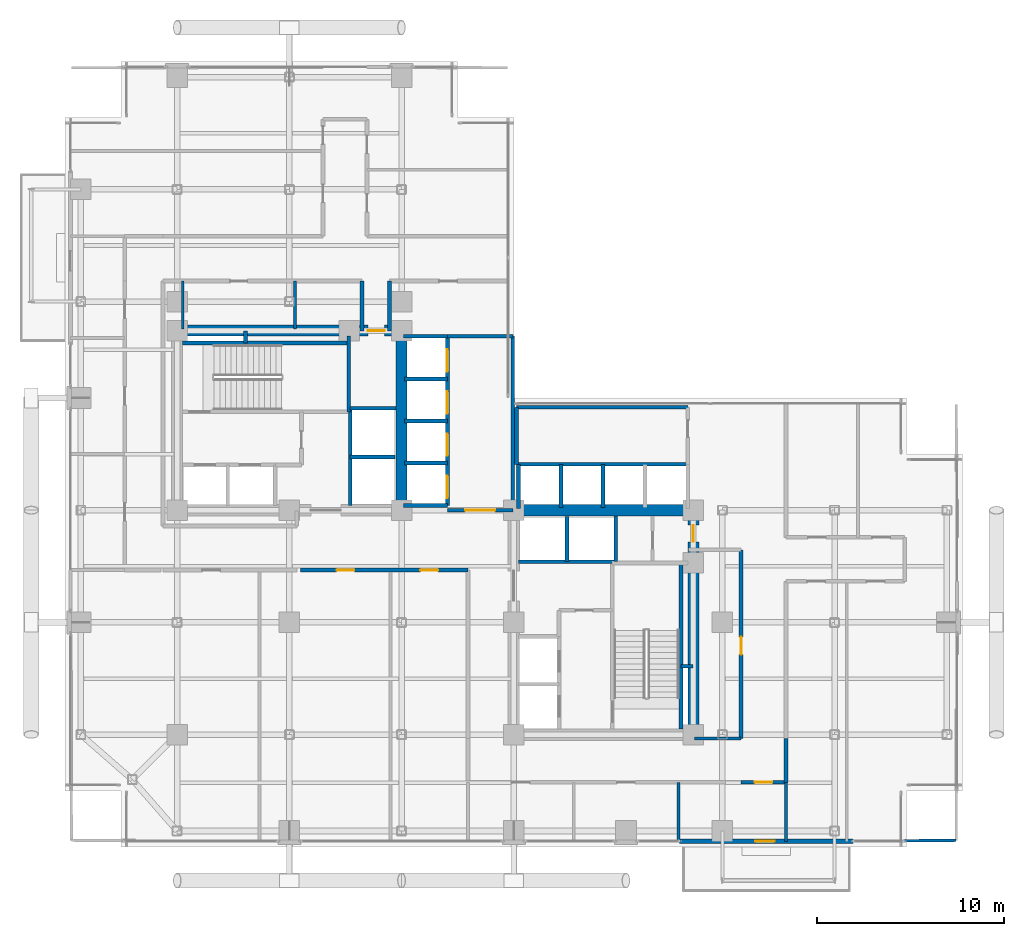
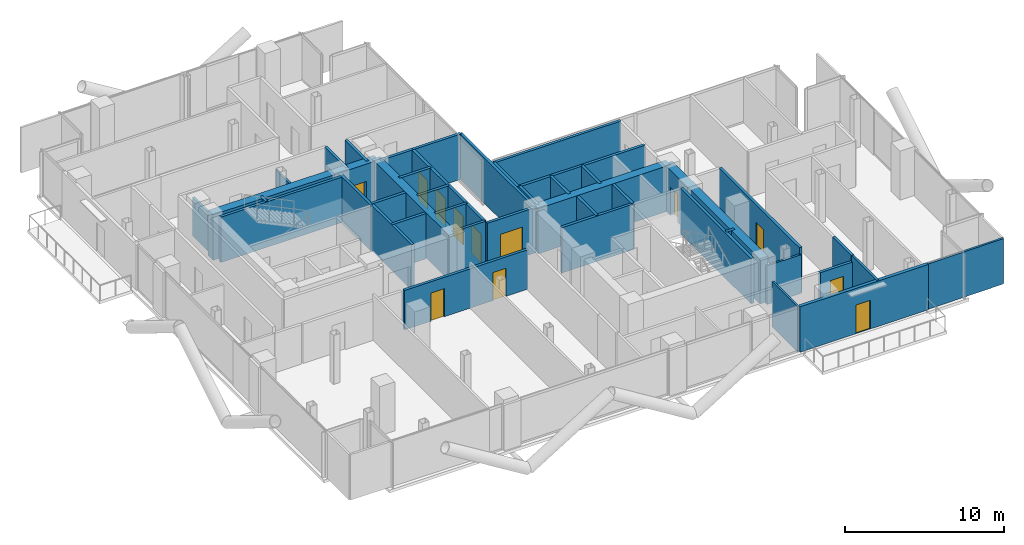
# One storey, part 23 of 28: 43 walls, 12 doors, 12 openings.
"""IFC4 building model written with IfcOpenShell, lengths in metres."""

from ifc_helpers import new_model, si_unit, direction, frame, frame_2d, origin, place, context, subcontext, project, spatial, rectangle, extrude, material, layer, layer_set, type_object, element, fill, save


model = new_model("IFC4")

# Units and contexts
model_context = context("Model", 3, precision=1e-05, world=origin(), true_north=direction((0.0, 1.0)))
body_context = subcontext(model_context, "Body", "Model", "MODEL_VIEW")
ifc_project = project(units=[si_unit("LENGTHUNIT", "METRE"), si_unit("AREAUNIT", "SQUARE_METRE"), si_unit("VOLUMEUNIT", "CUBIC_METRE"), si_unit("PLANEANGLEUNIT", "RADIAN"), si_unit("MASSUNIT", "GRAM", prefix="KILO"), si_unit("THERMODYNAMICTEMPERATUREUNIT", "KELVIN"), si_unit("POWERUNIT", "WATT")], contexts=[model_context])

# Site, building, storey
site_placement = place(None, origin())
site = spatial("IfcSite", under=ifc_project, at=site_placement, CompositionType="ELEMENT")
building_placement = place(site_placement, origin())
building = spatial("IfcBuilding", under=site, at=building_placement, Name="Svarakhadi Broadcast Tower", CompositionType="ELEMENT")
storey_placement = place(building_placement, frame((0.0, 0.0, 107.10009765625)))
storey = spatial("IfcBuildingStorey", under=building, at=storey_placement, Name="L25", CompositionType="ELEMENT", Elevation=107.10009765625)

# Wall, opening, door
ifc_material_1 = material(Name="Double-Stud Acoustic Studio Partition STC-62", Category="gypsum")
ifc_layer_1 = layer(ifc_material_1, 0.199951171875)
ifc_layer_set_1 = layer_set([ifc_layer_1], Name="Double-Stud Acoustic Studio Partition STC-62")
wall_type_1 = type_object("IfcWallType", Name="Wall_Acoust_200", PredefinedType="PARTITIONING", material=ifc_layer_set_1)
wall_1_placement = place(storey_placement, frame((36.14990234375, 5.800048828125, 0.0), z_axis=(0.0, 0.0, 1.0), x_axis=(0.0, 1.0, 0.0)))
wall_1 = element("IfcWall", 1, at=wall_1_placement, inside=storey, type_object=wall_type_1, Name="L25 Broadcast Corridor Wall", PredefinedType="PARTITIONING", context=body_context, shape_type="SweptSolid", body=[
    extrude(rectangle(XDim=10.079833984375, YDim=0.199951171875, at=frame_2d((5.0400390625, 0.0))), origin(), (0.0, 0.0, 1.0), 3.474853515625),
])
opening_1_placement = place(wall_1_placement, frame((4.47998046875, 0.0, 0.0)))
opening_1 = element("IfcOpeningElement", 2, at=opening_1_placement, cuts=wall_1, Name="Opening D-06", PredefinedType="OPENING", context=body_context, shape_type="SweptSolid", body=[
    extrude(rectangle(XDim=0.949951171875, YDim=2.14990234375, at=frame_2d((0.47509765625, 1.074951171875))), frame((0.0, 0.10986328125, 0.0), z_axis=(0.0, -1.0, 0.0), x_axis=(1.0, 0.0, 0.0)), (0.0, 0.0, 1.0), 0.219970703125),
])
ifc_material_2 = material(Name="Solid-Core Teak Veneer Acoustic Timber Leaf", Category="wood")
door_type_1 = type_object("IfcDoorType", Name="Door_Office_D06", OperationType="SINGLE_SWING_LEFT", PredefinedType="DOOR", material=ifc_material_2)
door_1_placement = place(opening_1_placement, origin())
door_1 = element("IfcDoor", 3, at=door_1_placement, inside=storey, type_object=door_type_1, Name="L25 Live Feed Monitoring Studio Door", OperationType="SINGLE_SWING_LEFT", OverallHeight=2.14990234375, OverallWidth=0.949951171875, PredefinedType="DOOR", context=body_context, shape_type="SweptSolid", body=[
    extrude(rectangle(XDim=0.949951171875, YDim=2.14990234375, at=frame_2d((0.47509765625, 1.074951171875))), frame((0.0, 0.02490234375, 0.0), z_axis=(0.0, -1.0, 0.0), x_axis=(1.0, 0.0, 0.0)), (0.0, 0.0, 1.0), 0.050048828125),
])
fill(opening_1, door_1)

# Wall
wall_2_placement = place(storey_placement, frame((38.550048828125, 5.800048828125, 0.0), z_axis=(0.0, 0.0, 1.0), x_axis=(0.0, -1.0, 0.0)))
element("IfcWall", 4, at=wall_2_placement, inside=storey, type_object=wall_type_1, Name="L25 Broadcast Corridor Wall", PredefinedType="PARTITIONING", context=body_context, shape_type="SweptSolid", body=[
    extrude(rectangle(XDim=2.35009765625, YDim=0.199951171875, at=frame_2d((1.175048828125, 0.0))), origin(), (0.0, 0.0, 1.0), 3.474853515625),
])

# Wall, opening, door
wall_3_placement = place(storey_placement, frame((38.550048828125, 3.449951171875, 0.0), z_axis=(0.0, 0.0, 1.0), x_axis=(-1.0, 0.0, 0.0)))
wall_3 = element("IfcWall", 5, at=wall_3_placement, inside=storey, type_object=wall_type_1, Name="L25 Broadcast Corridor Wall", PredefinedType="PARTITIONING", context=body_context, shape_type="SweptSolid", body=[
    extrude(rectangle(XDim=2.400146484375, YDim=0.199951171875, at=frame_2d((1.2001953125, 0.0))), origin(), (0.0, 0.0, 1.0), 3.016845703125),
])
opening_2_placement = place(wall_3_placement, frame((0.72509765625, 0.0, 0.0)))
opening_2 = element("IfcOpeningElement", 6, at=opening_2_placement, cuts=wall_3, Name="Opening D-06", PredefinedType="OPENING", context=body_context, shape_type="SweptSolid", body=[
    extrude(rectangle(XDim=0.949951171875, YDim=2.14990234375, at=frame_2d((0.47509765625, 1.074951171875))), frame((0.0, 0.10986328125, 0.0), z_axis=(0.0, -1.0, 0.0), x_axis=(1.0, 0.0, 0.0)), (0.0, 0.0, 1.0), 0.219970703125),
])
door_2_placement = place(opening_2_placement, origin())
door_2 = element("IfcDoor", 7, at=door_2_placement, inside=storey, type_object=door_type_1, Name="L25 Broadcast Staff Refreshment Pantry Door", OperationType="SINGLE_SWING_LEFT", OverallHeight=2.14990234375, OverallWidth=0.949951171875, PredefinedType="DOOR", context=body_context, shape_type="SweptSolid", body=[
    extrude(rectangle(XDim=0.949951171875, YDim=2.14990234375, at=frame_2d((0.47509765625, 1.074951171875))), frame((0.0, 0.02490234375, 0.0), z_axis=(0.0, -1.0, 0.0), x_axis=(1.0, 0.0, 0.0)), (0.0, 0.0, 1.0), 0.050048828125),
])
fill(opening_2, door_2)

# Wall, openings, doors
wall_4_placement = place(storey_placement, frame((21.550048828125, 14.800048828125, 0.0), z_axis=(0.0, 0.0, 1.0), x_axis=(-1.0, 0.0, 0.0)))
wall_4 = element("IfcWall", 8, at=wall_4_placement, inside=storey, type_object=wall_type_1, Name="L25 Broadcast Corridor Wall", PredefinedType="PARTITIONING", context=body_context, shape_type="SweptSolid", body=[
    extrude(rectangle(XDim=8.949951171875, YDim=0.199951171875, at=frame_2d((4.47509765625, 0.0))), origin(), (0.0, 0.0, 1.0), 3.016845703125),
])
opening_3_placement = place(wall_4_placement, frame((6.074951171875, 0.0, 0.0)))
opening_3 = element("IfcOpeningElement", 9, at=opening_3_placement, cuts=wall_4, Name="Opening D-07", PredefinedType="OPENING", context=body_context, shape_type="SweptSolid", body=[
    extrude(rectangle(XDim=0.949951171875, YDim=2.14990234375, at=frame_2d((0.47509765625, 1.074951171875))), frame((0.0, 0.10986328125, 0.0), z_axis=(0.0, -1.0, 0.0), x_axis=(1.0, 0.0, 0.0)), (0.0, 0.0, 1.0), 0.219970703125),
])
opening_4_placement = place(wall_4_placement, frame((1.60009765625, 0.0, 0.0)))
opening_4 = element("IfcOpeningElement", 10, at=opening_4_placement, cuts=wall_4, Name="Opening D-06", PredefinedType="OPENING", context=body_context, shape_type="SweptSolid", body=[
    extrude(rectangle(XDim=0.949951171875, YDim=2.14990234375, at=frame_2d((0.47509765625, 1.074951171875))), frame((0.0, 0.10986328125, 0.0), z_axis=(0.0, -1.0, 0.0), x_axis=(1.0, 0.0, 0.0)), (0.0, 0.0, 1.0), 0.219970703125),
])
door_3_placement = place(opening_4_placement, origin())
door_3 = element("IfcDoor", 11, at=door_3_placement, inside=storey, type_object=door_type_1, Name="L25 Highlight Archive Store Door", OperationType="SINGLE_SWING_LEFT", OverallHeight=2.14990234375, OverallWidth=0.949951171875, PredefinedType="DOOR", context=body_context, shape_type="SweptSolid", body=[
    extrude(rectangle(XDim=0.949951171875, YDim=2.14990234375, at=frame_2d((0.47509765625, 1.074951171875))), frame((0.0, 0.02490234375, 0.0), z_axis=(0.0, -1.0, 0.0), x_axis=(1.0, 0.0, 0.0)), (0.0, 0.0, 1.0), 0.050048828125),
])
fill(opening_4, door_3)
door_type_2 = type_object("IfcDoorType", Name="Door_Office_D07", OperationType="SINGLE_SWING_RIGHT", PredefinedType="DOOR", material=ifc_material_2)
door_4_placement = place(opening_3_placement, origin())
door_4 = element("IfcDoor", 12, at=door_4_placement, inside=storey, type_object=door_type_2, Name="L25 Multi-Feed Replay Screening Room Door", OperationType="SINGLE_SWING_RIGHT", OverallHeight=2.14990234375, OverallWidth=0.949951171875, PredefinedType="DOOR", context=body_context, shape_type="SweptSolid", body=[
    extrude(rectangle(XDim=0.949951171875, YDim=2.14990234375, at=frame_2d((0.47509765625, 1.074951171875))), frame((0.0, 0.02490234375, 0.0), z_axis=(0.0, -1.0, 0.0), x_axis=(1.0, 0.0, 0.0)), (0.0, 0.0, 1.0), 0.050048828125),
])
fill(opening_3, door_4)

# Walls
for number, where, z_axis, x_axis, name in (
    (13, (17.35009765625, 30.25, 0.0), (0.0, 0.0, 1.0), (0.0, -1.0, 0.0), "L25 Broadcast Corridor Wall"),
    (14, (15.8798828125, 27.580078125, 0.0), (0.0, 0.0, 1.0), (0.0, 1.0, 0.0), "L25 Broadcast Corridor Wall"),
):
    element("IfcWall", number, at=place(storey_placement, frame(where, z_axis=z_axis, x_axis=x_axis)), inside=storey, type_object=wall_type_1, Name=name, PredefinedType="PARTITIONING", context=body_context, shape_type="SweptSolid", body=[
        extrude(rectangle(XDim=2.669921875, YDim=0.199951171875, at=frame_2d((1.3349609375, 0.0))), origin(), (0.0, 0.0, 1.0), 3.474853515625),
    ])

# Wall, opening, door
ifc_material_3 = material(Name="Concrete C40/50 (IS 456 M50)", Category="concrete")
ifc_layer_2 = layer(ifc_material_3, 0.239990234375)
ifc_layer_set_2 = layer_set([ifc_layer_2], Name="Concrete C40/50 (IS 456 M50)")
wall_type_2 = type_object("IfcWallType", Name="Wall_Ext_240", PredefinedType="SOLIDWALL", material=ifc_layer_set_2)
wall_5_placement = place(storey_placement, frame((42.14501953125, 0.300048828125, 0.0), z_axis=(0.0, 0.0, 1.0), x_axis=(-1.0, 0.0, 0.0)))
wall_5 = element("IfcWall", 15, at=wall_5_placement, inside=storey, type_object=wall_type_2, Name="L25 South Tree Balcony Spandrel Wall", PredefinedType="SOLIDWALL", context=body_context, shape_type="SweptSolid", body=[
    extrude(rectangle(XDim=9.2900390625, YDim=0.239990234375, at=frame_2d((4.64501953125, 0.0))), origin(), (0.0, 0.0, 1.0), 3.474853515625),
])
opening_5_placement = place(wall_5_placement, frame((4.199951171875, 0.0, 0.0)))
opening_5 = element("IfcOpeningElement", 16, at=opening_5_placement, cuts=wall_5, Name="Opening ED-05", PredefinedType="OPENING", context=body_context, shape_type="SweptSolid", body=[
    extrude(rectangle(XDim=1.050048828125, YDim=2.199951171875, at=frame_2d((0.52490234375, 1.10009765625))), frame((0.0, 0.1298828125, 0.0), z_axis=(0.0, -1.0, 0.0), x_axis=(1.0, 0.0, 0.0)), (0.0, 0.0, 1.0), 0.260009765625),
])
ifc_material_4 = material(Name="Anodised Bronze Aluminium AA 6063-T6", Category="aluminium")
door_type_3 = type_object("IfcDoorType", Name="Door_Ext_ED05", OperationType="SINGLE_SWING_LEFT", PredefinedType="DOOR", material=ifc_material_4)
door_5_placement = place(opening_5_placement, origin())
door_5 = element("IfcDoor", 17, at=door_5_placement, inside=storey, type_object=door_type_3, Name="L25 South Tree Balcony Door", OperationType="SINGLE_SWING_LEFT", OverallHeight=2.199951171875, OverallWidth=1.050048828125, PredefinedType="DOOR", context=body_context, shape_type="SweptSolid", body=[
    extrude(rectangle(XDim=1.050048828125, YDim=2.199951171875, at=frame_2d((0.52490234375, 1.10009765625))), frame((0.0, 0.02490234375, 0.0), z_axis=(0.0, -1.0, 0.0), x_axis=(1.0, 0.0, 0.0)), (0.0, 0.0, 1.0), 0.050048828125),
])
fill(opening_5, door_5)

# Walls
ifc_layer_3 = layer(ifc_material_3, 0.199951171875)
ifc_layer_set_3 = layer_set([ifc_layer_3], Name="Concrete C40/50 (IS 456 M50)")
wall_type_3 = type_object("IfcWallType", Name="Wall_Fire_200", PredefinedType="SOLIDWALL", material=ifc_layer_set_3)
for number, where, z_axis, x_axis, name in (
    (18, (9.659912109375, 26.93994140625, 0.0), (0.0, 0.0, 1.0), (0.0, 1.0, 0.0), "L25 Wet Riser Shaft East Wall"),
    (19, (32.93994140625, 9.659912109375, 0.0), (0.0, 0.0, 1.0), (1.0, 0.0, 0.0), "L25 HV Busduct Riser Shaft North Wall"),
):
    element("IfcWall", number, at=place(storey_placement, frame(where, z_axis=z_axis, x_axis=x_axis)), inside=storey, type_object=wall_type_3, Name=name, PredefinedType="SOLIDWALL", context=body_context, shape_type="SweptSolid", body=[
        extrude(rectangle(XDim=0.64013671875, YDim=0.199951171875, at=frame_2d((0.320068359375, 0.0))), origin(), (0.0, 0.0, 1.0), 3.474853515625),
    ])
ifc_material_5 = material(Name="Autoclaved Aerated Concrete Blockwork 150 mm", Category="masonry")
ifc_layer_4 = layer(ifc_material_5, 0.14990234375)
ifc_layer_set_4 = layer_set([ifc_layer_4], Name="Autoclaved Aerated Concrete Blockwork 150 mm")
wall_type_4 = type_object("IfcWallType", Name="Wall_Part_150", PredefinedType="PARTITIONING", material=ifc_layer_set_4)
for number, where, z_axis, x_axis, name in (
    (20, (6.300048828125, 27.679931640625, 0.0), (0.0, 0.0, 1.0), (0.0, 1.0, 0.0), "L25 Accessible Toilet WC Wall"),
    (21, (12.300048828125, 27.679931640625, 0.0), (0.0, 0.0, 1.0), (0.0, 1.0, 0.0), "L25 Accessible Toilet WC Wall"),
):
    element("IfcWall", number, at=place(storey_placement, frame(where, z_axis=z_axis, x_axis=x_axis)), inside=storey, type_object=wall_type_4, Name=name, PredefinedType="PARTITIONING", context=body_context, shape_type="SweptSolid", body=[
        extrude(rectangle(XDim=2.570068359375, YDim=0.14990234375, at=frame_2d((1.28515625, 0.0))), origin(), (0.0, 0.0, 1.0), 2.966796875),
    ])
wall_6_placement = place(storey_placement, frame((42.14501953125, 0.302978515625, 0.0), z_axis=(0.0, 0.0, 1.0), x_axis=(0.999963369343, 0.008559203933, 0.0)))
element("IfcWall", 22, at=wall_6_placement, inside=storey, type_object=wall_type_4, Name="L25 Match-Day Crew Dining Room Wall", PredefinedType="PARTITIONING", context=body_context, shape_type="SweptSolid", body=[
    extrude(rectangle(XDim=5.505126953125, YDim=0.14990234375, at=frame_2d((2.75244140625, 0.0))), origin(), (0.0, 0.0, 1.0), 3.474853515625),
])
for number, where, z_axis, x_axis, name in (
    (23, (32.800048828125, 0.300048828125, 0.0), (0.0, 0.0, 1.0), (0.0, 1.0, 0.0), "L25 Media Legal Review Office Wall"),
    (24, (38.550048828125, 0.300048828125, 0.0), (0.0, 0.0, 1.0), (0.0, 1.0, 0.0), "L25 Broadcast Staff Refreshment Pantry Wall"),
):
    element("IfcWall", number, at=place(storey_placement, frame(where, z_axis=z_axis, x_axis=x_axis)), inside=storey, type_object=wall_type_4, Name=name, PredefinedType="PARTITIONING", context=body_context, shape_type="SweptSolid", body=[
        extrude(rectangle(XDim=3.14990234375, YDim=0.14990234375, at=frame_2d((1.574951171875, 0.0))), origin(), (0.0, 0.0, 1.0), 3.474853515625),
    ])
wall_7_placement = place(storey_placement, frame((33.64990234375, 5.800048828125, 0.0), z_axis=(0.0, 0.0, 1.0), x_axis=(1.0, 0.0, 0.0)))
element("IfcWall", 25, at=wall_7_placement, inside=storey, type_object=wall_type_4, Name="L25 Live Feed Monitoring Studio Wall", PredefinedType="PARTITIONING", context=body_context, shape_type="SweptSolid", body=[
    extrude(rectangle(XDim=2.5, YDim=0.14990234375, at=frame_2d((1.25, 0.0))), origin(), (0.0, 0.0, 1.0), 2.966796875),
])
ifc_material_6 = material(Name="Concrete C50/60 (IS 456 M60)", Category="concrete")
ifc_layer_5 = layer(ifc_material_6, 0.199951171875)
ifc_layer_set_5 = layer_set([ifc_layer_5], Name="Concrete C50/60 (IS 456 M60)")
wall_type_5 = type_object("IfcWallType", Name="Wall_Shear_200", PredefinedType="SHEAR", material=ifc_layer_set_5)
wall_8_placement = place(storey_placement, frame((6.300048828125, 26.93994140625, 0.0), z_axis=(0.0, 0.0, 1.0), x_axis=(1.0, 0.0, 0.0)))
element("IfcWall", 26, at=wall_8_placement, inside=storey, type_object=wall_type_5, Name="L25 Stair ST-01 North RC Shaft Wall", PredefinedType="SHEAR", context=body_context, shape_type="SweptSolid", body=[
    extrude(rectangle(XDim=8.8798828125, YDim=0.199951171875, at=frame_2d((4.43994140625, 0.0))), origin(), (0.0, 0.0, 1.0), 3.474853515625),
])
wall_9_placement = place(storey_placement, frame((15.179931640625, 23.260009765625, 0.0), z_axis=(0.0, 0.0, 1.0), x_axis=(0.0, 1.0, 0.0)))
element("IfcWall", 27, at=wall_9_placement, inside=storey, type_object=wall_type_5, Name="L25 Stair ST-01 East RC Shaft Wall", PredefinedType="SHEAR", context=body_context, shape_type="SweptSolid", body=[
    extrude(rectangle(XDim=4.0400390625, YDim=0.199951171875, at=frame_2d((2.02001953125, 0.0))), origin(), (0.0, 0.0, 1.0), 3.474853515625),
])
wall_10_placement = place(storey_placement, frame((32.93994140625, 6.300048828125, 0.0), z_axis=(0.0, 0.0, 1.0), x_axis=(0.0, 1.0, 0.0)))
element("IfcWall", 28, at=wall_10_placement, inside=storey, type_object=wall_type_5, Name="L25 Stair ST-02 East RC Shaft Wall", PredefinedType="SHEAR", context=body_context, shape_type="SweptSolid", body=[
    extrude(rectangle(XDim=8.8798828125, YDim=0.199951171875, at=frame_2d((4.43994140625, 0.0))), origin(), (0.0, 0.0, 1.0), 3.474853515625),
])
wall_11_placement = place(storey_placement, frame((15.25, 18.25, 0.0), z_axis=(0.0, 0.0, 1.0), x_axis=(0.0, 1.0, 0.0)))
element("IfcWall", 29, at=wall_11_placement, inside=storey, type_object=wall_type_5, Name="L25 High-Rise Lift LF-13/14 West Shaft Wall", PredefinedType="SHEAR", context=body_context, shape_type="SweptSolid", body=[
    extrude(rectangle(XDim=5.199951171875, YDim=0.199951171875, at=frame_2d((2.60009765625, 0.0))), origin(), (0.0, 0.0, 1.0), 3.474853515625),
])
wall_12_placement = place(storey_placement, frame((15.25, 20.85009765625, 0.0), z_axis=(0.0, 0.0, 1.0), x_axis=(1.0, 0.0, 0.0)))
element("IfcWall", 30, at=wall_12_placement, inside=storey, type_object=wall_type_5, Name="L25 High-Rise Lift LF-13/14 Divider", PredefinedType="SHEAR", context=body_context, shape_type="SweptSolid", body=[
    extrude(rectangle(XDim=2.39990234375, YDim=0.199951171875, at=frame_2d((1.199951171875, 0.0))), origin(), (0.0, 0.0, 1.0), 3.474853515625),
])
wall_13_placement = place(storey_placement, frame((15.25, 23.449951171875, 0.0), z_axis=(0.0, 0.0, 1.0), x_axis=(1.0, 0.0, 0.0)))
element("IfcWall", 31, at=wall_13_placement, inside=storey, type_object=wall_type_5, Name="L25 High-Rise Lift LF-13/14 North Wall", PredefinedType="SHEAR", context=body_context, shape_type="SweptSolid", body=[
    extrude(rectangle(XDim=2.449951171875, YDim=0.199951171875, at=frame_2d((1.22509765625, 0.0))), origin(), (0.0, 0.0, 1.0), 3.474853515625),
])
wall_14_placement = place(storey_placement, frame((24.25, 15.25, 0.0), z_axis=(0.0, 0.0, 1.0), x_axis=(1.0, 0.0, 0.0)))
element("IfcWall", 32, at=wall_14_placement, inside=storey, type_object=wall_type_5, Name="L25 High-Rise Lift LF-15/16 South Shaft Wall", PredefinedType="SHEAR", context=body_context, shape_type="SweptSolid", body=[
    extrude(rectangle(XDim=5.199951171875, YDim=0.199951171875, at=frame_2d((2.60009765625, 0.0))), origin(), (0.0, 0.0, 1.0), 3.474853515625),
])
wall_15_placement = place(storey_placement, frame((26.85009765625, 15.25, 0.0), z_axis=(0.0, 0.0, 1.0), x_axis=(0.0, 1.0, 0.0)))
element("IfcWall", 33, at=wall_15_placement, inside=storey, type_object=wall_type_5, Name="L25 High-Rise Lift LF-15/16 Divider", PredefinedType="SHEAR", context=body_context, shape_type="SweptSolid", body=[
    extrude(rectangle(XDim=2.39990234375, YDim=0.199951171875, at=frame_2d((1.199951171875, 0.0))), origin(), (0.0, 0.0, 1.0), 3.474853515625),
])
wall_16_placement = place(storey_placement, frame((29.449951171875, 15.25, 0.0), z_axis=(0.0, 0.0, 1.0), x_axis=(0.0, 1.0, 0.0)))
element("IfcWall", 34, at=wall_16_placement, inside=storey, type_object=wall_type_5, Name="L25 High-Rise Lift LF-15/16 East Wall", PredefinedType="SHEAR", context=body_context, shape_type="SweptSolid", body=[
    extrude(rectangle(XDim=2.449951171875, YDim=0.199951171875, at=frame_2d((1.22509765625, 0.0))), origin(), (0.0, 0.0, 1.0), 3.474853515625),
])
for number, where, z_axis, x_axis, name in (
    (35, (18.10009765625, 27.300048828125, 0.0), (0.0, 0.0, 1.0), (1.0, 0.0, 0.0), "L25 Bank A North Shaft Wall"),
    (36, (18.10009765625, 18.25, 0.0), (0.0, 0.0, 1.0), (1.0, 0.0, 0.0), "L25 Bank A South Shaft Wall"),
):
    element("IfcWall", number, at=place(storey_placement, frame(where, z_axis=z_axis, x_axis=x_axis)), inside=storey, type_object=wall_type_5, Name=name, PredefinedType="SHEAR", context=body_context, shape_type="SweptSolid", body=[
        extrude(rectangle(XDim=2.349853515625, YDim=0.199951171875, at=frame_2d((1.1748046875, 0.0))), origin(), (0.0, 0.0, 1.0), 3.474853515625),
    ])

# Wall, openings, doors
wall_17_placement = place(storey_placement, frame((20.449951171875, 18.25, 0.0), z_axis=(0.0, 0.0, 1.0), x_axis=(0.0, 1.0, 0.0)))
wall_17 = element("IfcWall", 37, at=wall_17_placement, inside=storey, type_object=wall_type_5, Name="L25 Bank A East Landing Wall", PredefinedType="SHEAR", context=body_context, shape_type="SweptSolid", body=[
    extrude(rectangle(XDim=9.050048828125, YDim=0.199951171875, at=frame_2d((4.52490234375, 0.0))), origin(), (0.0, 0.0, 1.0), 3.474853515625),
])
opening_6_placement = place(wall_17_placement, frame((0.39990234375, 0.0, 0.0)))
opening_6 = element("IfcOpeningElement", 38, at=opening_6_placement, cuts=wall_17, Name="Opening LD-02", PredefinedType="OPENING", context=body_context, shape_type="SweptSolid", body=[
    extrude(rectangle(XDim=1.199951171875, YDim=2.199951171875, at=frame_2d((0.60009765625, 1.10009765625))), frame((0.0, 0.10986328125, 0.0), z_axis=(0.0, -1.0, 0.0), x_axis=(1.0, 0.0, 0.0)), (0.0, 0.0, 1.0), 0.219970703125),
])
opening_7_placement = place(wall_17_placement, frame((2.64990234375, 0.0, 0.0)))
opening_7 = element("IfcOpeningElement", 39, at=opening_7_placement, cuts=wall_17, Name="Opening LD-02", PredefinedType="OPENING", context=body_context, shape_type="SweptSolid", body=[
    extrude(rectangle(XDim=1.199951171875, YDim=2.199951171875, at=frame_2d((0.60009765625, 1.10009765625))), frame((0.0, 0.10986328125, 0.0), z_axis=(0.0, -1.0, 0.0), x_axis=(1.0, 0.0, 0.0)), (0.0, 0.0, 1.0), 0.219970703125),
])
opening_8_placement = place(wall_17_placement, frame((4.89990234375, 0.0, 0.0)))
opening_8 = element("IfcOpeningElement", 40, at=opening_8_placement, cuts=wall_17, Name="Opening LD-02", PredefinedType="OPENING", context=body_context, shape_type="SweptSolid", body=[
    extrude(rectangle(XDim=1.199951171875, YDim=2.199951171875, at=frame_2d((0.60009765625, 1.10009765625))), frame((0.0, 0.10986328125, 0.0), z_axis=(0.0, -1.0, 0.0), x_axis=(1.0, 0.0, 0.0)), (0.0, 0.0, 1.0), 0.219970703125),
])
opening_9_placement = place(wall_17_placement, frame((7.14990234375, 0.0, 0.0)))
opening_9 = element("IfcOpeningElement", 41, at=opening_9_placement, cuts=wall_17, Name="Opening LD-02", PredefinedType="OPENING", context=body_context, shape_type="SweptSolid", body=[
    extrude(rectangle(XDim=1.199951171875, YDim=2.199951171875, at=frame_2d((0.60009765625, 1.10009765625))), frame((0.0, 0.10986328125, 0.0), z_axis=(0.0, -1.0, 0.0), x_axis=(1.0, 0.0, 0.0)), (0.0, 0.0, 1.0), 0.219970703125),
])
ifc_material_7 = material(Name="Galvanised Powder-Coated Fire-Rated Steel Leaf", Category="steel")
door_type_4 = type_object("IfcDoorType", Name="Door_Lift_LD02", OperationType="SLIDING_TO_RIGHT", PredefinedType="DOOR", material=ifc_material_7)
door_6_placement = place(opening_6_placement, origin())
door_6 = element("IfcDoor", 42, at=door_6_placement, inside=storey, type_object=door_type_4, Name="L25 Low-Rise Lift LF-05 Landing Door", OperationType="SLIDING_TO_RIGHT", OverallHeight=2.199951171875, OverallWidth=1.199951171875, PredefinedType="DOOR", context=body_context, shape_type="SweptSolid", body=[
    extrude(rectangle(XDim=1.199951171875, YDim=2.199951171875, at=frame_2d((0.60009765625, 1.10009765625))), frame((0.0, 0.02490234375, 0.0), z_axis=(0.0, -1.0, 0.0), x_axis=(1.0, 0.0, 0.0)), (0.0, 0.0, 1.0), 0.050048828125),
])
fill(opening_6, door_6)
door_7_placement = place(opening_7_placement, origin())
door_7 = element("IfcDoor", 43, at=door_7_placement, inside=storey, type_object=door_type_4, Name="L25 Low-Rise Lift LF-06 Landing Door", OperationType="SLIDING_TO_RIGHT", OverallHeight=2.199951171875, OverallWidth=1.199951171875, PredefinedType="DOOR", context=body_context, shape_type="SweptSolid", body=[
    extrude(rectangle(XDim=1.199951171875, YDim=2.199951171875, at=frame_2d((0.60009765625, 1.10009765625))), frame((0.0, 0.02490234375, 0.0), z_axis=(0.0, -1.0, 0.0), x_axis=(1.0, 0.0, 0.0)), (0.0, 0.0, 1.0), 0.050048828125),
])
fill(opening_7, door_7)
door_8_placement = place(opening_8_placement, origin())
door_8 = element("IfcDoor", 44, at=door_8_placement, inside=storey, type_object=door_type_4, Name="L25 Low-Rise Lift LF-07 Landing Door", OperationType="SLIDING_TO_RIGHT", OverallHeight=2.199951171875, OverallWidth=1.199951171875, PredefinedType="DOOR", context=body_context, shape_type="SweptSolid", body=[
    extrude(rectangle(XDim=1.199951171875, YDim=2.199951171875, at=frame_2d((0.60009765625, 1.10009765625))), frame((0.0, 0.02490234375, 0.0), z_axis=(0.0, -1.0, 0.0), x_axis=(1.0, 0.0, 0.0)), (0.0, 0.0, 1.0), 0.050048828125),
])
fill(opening_8, door_8)
door_9_placement = place(opening_9_placement, origin())
door_9 = element("IfcDoor", 45, at=door_9_placement, inside=storey, type_object=door_type_4, Name="L25 Low-Rise Lift LF-08 Landing Door", OperationType="SLIDING_TO_RIGHT", OverallHeight=2.199951171875, OverallWidth=1.199951171875, PredefinedType="DOOR", context=body_context, shape_type="SweptSolid", body=[
    extrude(rectangle(XDim=1.199951171875, YDim=2.199951171875, at=frame_2d((0.60009765625, 1.10009765625))), frame((0.0, 0.02490234375, 0.0), z_axis=(0.0, -1.0, 0.0), x_axis=(1.0, 0.0, 0.0)), (0.0, 0.0, 1.0), 0.050048828125),
])
fill(opening_9, door_9)

# Walls
for number, where, z_axis, x_axis, name in (
    (46, (18.14990234375, 20.52001953125, 0.0), (0.0, 0.0, 1.0), (1.0, 0.0, 0.0), "L25 Bank A Divider"),
    (47, (18.14990234375, 22.77001953125, 0.0), (0.0, 0.0, 1.0), (1.0, 0.0, 0.0), "L25 Bank A Divider"),
    (48, (18.14990234375, 25.02001953125, 0.0), (0.0, 0.0, 1.0), (1.0, 0.0, 0.0), "L25 Bank A Divider"),
):
    element("IfcWall", number, at=place(storey_placement, frame(where, z_axis=z_axis, x_axis=x_axis)), inside=storey, type_object=wall_type_5, Name=name, PredefinedType="SHEAR", context=body_context, shape_type="SweptSolid", body=[
        extrude(rectangle(XDim=2.300048828125, YDim=0.199951171875, at=frame_2d((1.14990234375, 0.0))), origin(), (0.0, 0.0, 1.0), 3.474853515625),
    ])

# Wall, opening, door
wall_18_placement = place(storey_placement, frame((20.449951171875, 18.0, 0.0), z_axis=(0.0, 0.0, 1.0), x_axis=(1.0, 0.0, 0.0)))
wall_18 = element("IfcWall", 49, at=wall_18_placement, inside=storey, type_object=wall_type_5, Name="L25 Bank A Lift Hall South Wall", PredefinedType="SHEAR", context=body_context, shape_type="SweptSolid", body=[
    extrude(rectangle(XDim=3.5, YDim=0.199951171875, at=frame_2d((1.75, 0.0))), origin(), (0.0, 0.0, 1.0), 3.474853515625),
])
opening_10_placement = place(wall_18_placement, frame((0.949951171875, 0.0, 0.0)))
opening_10 = element("IfcOpeningElement", 50, at=opening_10_placement, cuts=wall_18, Name="Opening D-05", PredefinedType="OPENING", context=body_context, shape_type="SweptSolid", body=[
    extrude(rectangle(XDim=1.60009765625, YDim=2.300048828125, at=frame_2d((0.800048828125, 1.14990234375))), frame((0.0, 0.10986328125, 0.0), z_axis=(0.0, -1.0, 0.0), x_axis=(1.0, 0.0, 0.0)), (0.0, 0.0, 1.0), 0.219970703125),
])
door_type_5 = type_object("IfcDoorType", Name="Door_Lobby_D05", OperationType="DOUBLE_DOOR_SLIDING", PredefinedType="DOOR", material=ifc_material_4)
door_10_placement = place(opening_10_placement, origin())
door_10 = element("IfcDoor", 51, at=door_10_placement, inside=storey, type_object=door_type_5, Name="L25 Low-Rise Lift Hall Corridor Door", OperationType="DOUBLE_DOOR_SLIDING", OverallHeight=2.300048828125, OverallWidth=1.60009765625, PredefinedType="DOOR", context=body_context, shape_type="SweptSolid", body=[
    extrude(rectangle(XDim=1.60009765625, YDim=2.300048828125, at=frame_2d((0.800048828125, 1.14990234375))), frame((0.0, 0.02490234375, 0.0), z_axis=(0.0, -1.0, 0.0), x_axis=(1.0, 0.0, 0.0)), (0.0, 0.0, 1.0), 0.050048828125),
])
fill(opening_10, door_10)

# Walls
wall_19_placement = place(storey_placement, frame((20.449951171875, 27.300048828125, 0.0), z_axis=(0.0, 0.0, 1.0), x_axis=(1.0, 0.0, 0.0)))
element("IfcWall", 52, at=wall_19_placement, inside=storey, type_object=wall_type_5, Name="L25 Bank A Lift Hall North Wall", PredefinedType="SHEAR", context=body_context, shape_type="SweptSolid", body=[
    extrude(rectangle(XDim=3.5, YDim=0.199951171875, at=frame_2d((1.75, 0.0))), origin(), (0.0, 0.0, 1.0), 3.474853515625),
])
wall_20_placement = place(storey_placement, frame((23.949951171875, 18.0, 0.0), z_axis=(0.0, 0.0, 1.0), x_axis=(0.0, 1.0, 0.0)))
element("IfcWall", 53, at=wall_20_placement, inside=storey, type_object=wall_type_5, Name="L25 Bank A Lift Hall East Wall", PredefinedType="SHEAR", context=body_context, shape_type="SweptSolid", body=[
    extrude(rectangle(XDim=9.300048828125, YDim=0.199951171875, at=frame_2d((4.64990234375, 0.0))), origin(), (0.0, 0.0, 1.0), 3.474853515625),
])
wall_21_placement = place(storey_placement, frame((24.25, 18.10009765625, 0.0), z_axis=(0.0, 0.0, 1.0), x_axis=(0.0, 1.0, 0.0)))
element("IfcWall", 54, at=wall_21_placement, inside=storey, type_object=wall_type_5, Name="L25 Bank B West Shaft Wall", PredefinedType="SHEAR", context=body_context, shape_type="SweptSolid", body=[
    extrude(rectangle(XDim=2.349853515625, YDim=0.199951171875, at=frame_2d((1.1748046875, 0.0))), origin(), (0.0, 0.0, 1.0), 3.474853515625),
])
wall_22_placement = place(storey_placement, frame((24.25, 20.449951171875, 0.0), z_axis=(0.0, 0.0, 1.0), x_axis=(1.0, 0.0, 0.0)))
element("IfcWall", 55, at=wall_22_placement, inside=storey, type_object=wall_type_5, Name="L25 Bank B North Landing Wall", PredefinedType="SHEAR", context=body_context, shape_type="SweptSolid", body=[
    extrude(rectangle(XDim=9.050048828125, YDim=0.199951171875, at=frame_2d((4.52490234375, 0.0))), origin(), (0.0, 0.0, 1.0), 3.474853515625),
])
for number, where, z_axis, x_axis, name in (
    (56, (26.52001953125, 18.14990234375, 0.0), (0.0, 0.0, 1.0), (0.0, 1.0, 0.0), "L25 Bank B Divider"),
    (57, (28.77001953125, 18.14990234375, 0.0), (0.0, 0.0, 1.0), (0.0, 1.0, 0.0), "L25 Bank B Divider"),
):
    element("IfcWall", number, at=place(storey_placement, frame(where, z_axis=z_axis, x_axis=x_axis)), inside=storey, type_object=wall_type_5, Name=name, PredefinedType="SHEAR", context=body_context, shape_type="SweptSolid", body=[
        extrude(rectangle(XDim=2.300048828125, YDim=0.199951171875, at=frame_2d((1.14990234375, 0.0))), origin(), (0.0, 0.0, 1.0), 3.474853515625),
    ])
wall_23_placement = place(storey_placement, frame((24.14990234375, 23.5, 0.0), z_axis=(0.0, 0.0, 1.0), x_axis=(1.0, 0.0, 0.0)))
element("IfcWall", 58, at=wall_23_placement, inside=storey, type_object=wall_type_5, Name="L25 Bank B Lift Hall North Wall", PredefinedType="SHEAR", context=body_context, shape_type="SweptSolid", body=[
    extrude(rectangle(XDim=9.150146484375, YDim=0.199951171875, at=frame_2d((4.5751953125, 0.0))), origin(), (0.0, 0.0, 1.0), 3.474853515625),
])
wall_24_placement = place(storey_placement, frame((24.14990234375, 20.449951171875, 0.0), z_axis=(0.0, 0.0, 1.0), x_axis=(0.0, 1.0, 0.0)))
element("IfcWall", 59, at=wall_24_placement, inside=storey, type_object=wall_type_5, Name="L25 Bank B Lift Hall West Wall", PredefinedType="SHEAR", context=body_context, shape_type="SweptSolid", body=[
    extrude(rectangle(XDim=3.050048828125, YDim=0.199951171875, at=frame_2d((1.52490234375, 0.0))), origin(), (0.0, 0.0, 1.0), 3.474853515625),
])

# Wall, opening, door
ifc_material_8 = material(Name="Concrete C60/75 (IS 456 M70)", Category="concrete")
ifc_layer_6 = layer(ifc_material_8, 0.60009765625)
ifc_layer_set_6 = layer_set([ifc_layer_6], Name="Concrete C60/75 (IS 456 M70)")
wall_type_6 = type_object("IfcWallType", Name="Wall_Shear_600", PredefinedType="SHEAR", material=ifc_layer_set_6)
wall_25_placement = place(storey_placement, frame((6.0, 27.60009765625, 0.0), z_axis=(0.0, 0.0, 1.0), x_axis=(1.0, 0.0, 0.0)))
wall_25 = element("IfcWall", 60, at=wall_25_placement, inside=storey, type_object=wall_type_6, Name="L25 West Core North Shear Wall", PredefinedType="SHEAR", context=body_context, shape_type="SweptSolid", body=[
    extrude(rectangle(XDim=12.0, YDim=0.60009765625, at=frame_2d((6.0, 0.0))), origin(), (0.0, 0.0, 1.0), 3.474853515625),
])
opening_11_placement = place(wall_25_placement, frame((10.199951171875, 0.0, 0.0)))
opening_11 = element("IfcOpeningElement", 61, at=opening_11_placement, cuts=wall_25, Name="Opening D-04", PredefinedType="OPENING", context=body_context, shape_type="SweptSolid", body=[
    extrude(rectangle(XDim=0.89990234375, YDim=2.14990234375, at=frame_2d((0.449951171875, 1.074951171875))), frame((0.0, 0.31005859375, 0.0), z_axis=(0.0, -1.0, 0.0), x_axis=(1.0, 0.0, 0.0)), (0.0, 0.0, 1.0), 0.6201171875),
])
door_type_6 = type_object("IfcDoorType", Name="Door_Fire_D04", OperationType="SINGLE_SWING_RIGHT", PredefinedType="DOOR", material=ifc_material_7)
door_11_placement = place(opening_11_placement, origin())
door_11 = element("IfcDoor", 62, at=door_11_placement, inside=storey, type_object=door_type_6, Name="L25 Core Meter Cupboard Door", OperationType="SINGLE_SWING_RIGHT", OverallHeight=2.14990234375, OverallWidth=0.89990234375, PredefinedType="DOOR", context=body_context, shape_type="SweptSolid", body=[
    extrude(rectangle(XDim=0.89990234375, YDim=2.14990234375, at=frame_2d((0.449951171875, 1.074951171875))), frame((0.0, 0.02490234375, 0.0), z_axis=(0.0, -1.0, 0.0), x_axis=(1.0, 0.0, 0.0)), (0.0, 0.0, 1.0), 0.050048828125),
])
fill(opening_11, door_11)

# Walls
for number, where, z_axis, x_axis, name in (
    (63, (18.0, 18.0, 0.0), (0.0, 0.0, 1.0), (0.0, 1.0, 0.0), "L25 West Core East Shear Wall"),
    (64, (24.0, 18.0, 0.0), (0.0, 0.0, 1.0), (1.0, 0.0, 0.0), "L25 East Core North Shear Wall"),
):
    element("IfcWall", number, at=place(storey_placement, frame(where, z_axis=z_axis, x_axis=x_axis)), inside=storey, type_object=wall_type_6, Name=name, PredefinedType="SHEAR", context=body_context, shape_type="SweptSolid", body=[
        extrude(rectangle(XDim=9.60009765625, YDim=0.60009765625, at=frame_2d((4.800048828125, 0.0))), origin(), (0.0, 0.0, 1.0), 3.474853515625),
    ])

# Wall, opening, door
wall_26_placement = place(storey_placement, frame((33.60009765625, 6.0, 0.0), z_axis=(0.0, 0.0, 1.0), x_axis=(0.0, 1.0, 0.0)))
wall_26 = element("IfcWall", 65, at=wall_26_placement, inside=storey, type_object=wall_type_6, Name="L25 East Core East Shear Wall", PredefinedType="SHEAR", context=body_context, shape_type="SweptSolid", body=[
    extrude(rectangle(XDim=12.0, YDim=0.60009765625, at=frame_2d((6.0, 0.0))), origin(), (0.0, 0.0, 1.0), 3.474853515625),
])
opening_12_placement = place(wall_26_placement, frame((10.300048828125, 0.0, 0.0)))
opening_12 = element("IfcOpeningElement", 66, at=opening_12_placement, cuts=wall_26, Name="Opening D-03", PredefinedType="OPENING", context=body_context, shape_type="SweptSolid", body=[
    extrude(rectangle(XDim=0.89990234375, YDim=2.14990234375, at=frame_2d((0.449951171875, 1.074951171875))), frame((0.0, 0.31005859375, 0.0), z_axis=(0.0, -1.0, 0.0), x_axis=(1.0, 0.0, 0.0)), (0.0, 0.0, 1.0), 0.6201171875),
])
door_type_7 = type_object("IfcDoorType", Name="Door_Fire_D03", OperationType="SINGLE_SWING_LEFT", PredefinedType="DOOR", material=ifc_material_7)
door_12_placement = place(opening_12_placement, origin())
door_12 = element("IfcDoor", 67, at=door_12_placement, inside=storey, type_object=door_type_7, Name="L25 Core Outer Service Store Door", OperationType="SINGLE_SWING_LEFT", OverallHeight=2.14990234375, OverallWidth=0.89990234375, PredefinedType="DOOR", context=body_context, shape_type="SweptSolid", body=[
    extrude(rectangle(XDim=0.89990234375, YDim=2.14990234375, at=frame_2d((0.449951171875, 1.074951171875))), frame((0.0, 0.02490234375, 0.0), z_axis=(0.0, -1.0, 0.0), x_axis=(1.0, 0.0, 0.0)), (0.0, 0.0, 1.0), 0.050048828125),
])
fill(opening_12, door_12)

save(model, "model.ifc")
